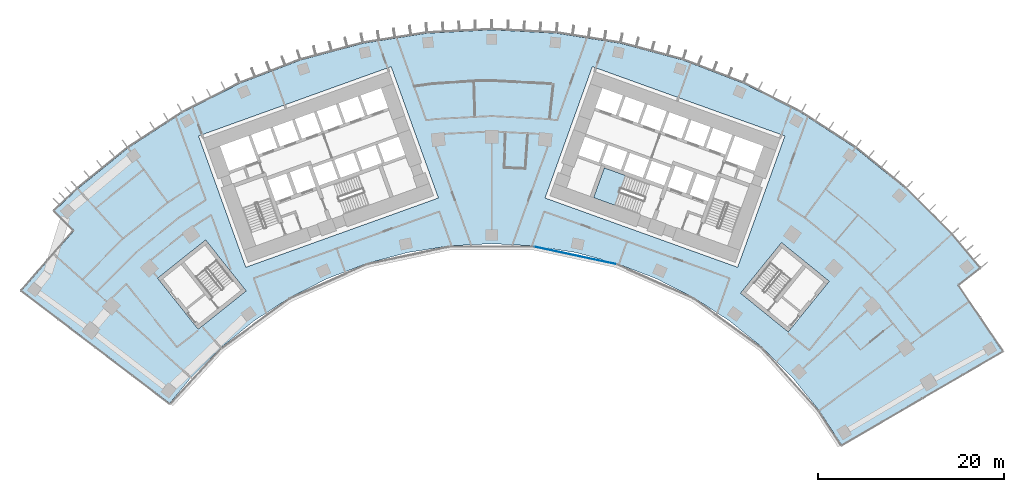
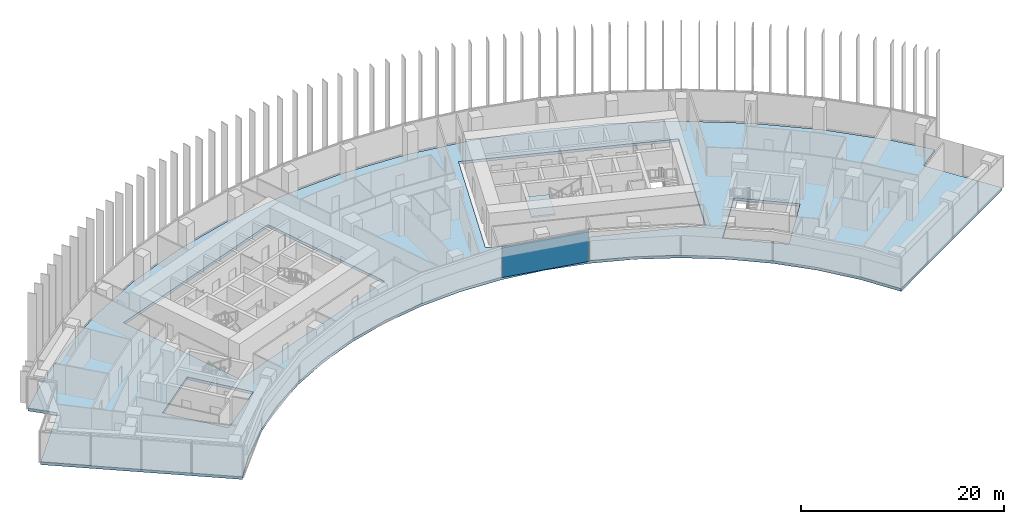
# One storey, part 14 of 23: 2 slabs, 1 plate, 2 elements without a shape of their own.
"""IFC4 building model written with IfcOpenShell, lengths in metres."""

from ifc_helpers import new_model, si_unit, direction, frame, origin, origin_2d, place, context, subcontext, project, spatial, polyline, rectangle, outline, extrude, material, layer, layer_set, type_object, element, aggregate, save


model = new_model("IFC4")

# Units and contexts
model_context = context("Model", 3, precision=1e-05, world=origin(), true_north=direction((0.0, 1.0)))
body_context = subcontext(model_context, "Body", "Model", "MODEL_VIEW")
ifc_project = project(units=[si_unit("LENGTHUNIT", "METRE"), si_unit("AREAUNIT", "SQUARE_METRE"), si_unit("VOLUMEUNIT", "CUBIC_METRE"), si_unit("PLANEANGLEUNIT", "RADIAN"), si_unit("MASSUNIT", "GRAM", prefix="KILO")], contexts=[model_context])

# Site, building, storey
site_placement = place(None, origin())
site = spatial("IfcSite", under=ifc_project, at=site_placement, CompositionType="ELEMENT")
building_placement = place(site_placement, origin())
building = spatial("IfcBuilding", under=site, at=building_placement, Name="Stone Belt Terrace Tower", CompositionType="ELEMENT")
storey_placement = place(building_placement, frame((0.0, 0.0, 98.39990234375)))
storey = spatial("IfcBuildingStorey", under=building, at=storey_placement, Name="L23", CompositionType="ELEMENT", Elevation=98.39990234375)

# Curtain wall, plate
ifc_material_1 = material(Name="Aluminium 6063-T6 anodised frame", Category="aluminium")
ifc_layer_1 = layer(ifc_material_1, 0.14990234375)
ifc_layer_set_1 = layer_set([ifc_layer_1], Name="CW-B unitised concave-face curtain wall")
curtain_wall_type = type_object("IfcCurtainWallType", Name="CW-B unitised concave-face curtain wall", PredefinedType="NOTDEFINED", material=ifc_layer_set_1)
curtain_wall_placement = place(storey_placement, origin())
curtain_wall = element("IfcCurtainWall", 1, at=curtain_wall_placement, inside=storey, type_object=curtain_wall_type, Name="CW-B concave face L23", PredefinedType="NOTDEFINED")
ifc_material_2 = material(Name="Clear double glazed unit")
ifc_layer_2 = layer(ifc_material_2, 0.030029296875)
ifc_layer_set_2 = layer_set([ifc_layer_2], Name="CW-B glass panel 30")
plate_type = type_object("IfcPlateType", Name="CW-B glass panel 30", PredefinedType="CURTAIN_PANEL", material=ifc_layer_set_2)
plate_placement = place(storey_placement, frame((8.97900390625, 42.242919921875, 0.0), z_axis=(0.0, 0.0, 1.0), x_axis=(0.978147600734, -0.207911690818, 0.0)))
plate = element("IfcPlate", 2, at=plate_placement, type_object=plate_type, Name="CW-B panel 6.1", PredefinedType="CURTAIN_PANEL", context=body_context, shape_type="SweptSolid", body=[
    extrude(rectangle(XDim=9.0126953125, YDim=0.030029296875, at=origin_2d()), origin(), (0.0, 0.0, 1.0), 3.679931640625),
])
aggregate(curtain_wall, [plate])

# Slab
ifc_material_3 = material(Name="Concrete B40", Category="concrete")
ifc_layer_3 = layer(ifc_material_3, 0.320068359375)
ifc_layer_set_3 = layer_set([ifc_layer_3], Name="Floor slab 320 B40")
slab_type_1 = type_object("IfcSlabType", Name="Floor slab 320 B40", PredefinedType="FLOOR", material=ifc_layer_set_3)
slab_1_placement = place(storey_placement, frame((0.0, 0.0, -0.31982421875)))
element("IfcSlab", 3, at=slab_1_placement, inside=storey, type_object=slab_type_1, Name="Floor slab L23", PredefinedType="FLOOR", context=body_context, shape_type="SweptSolid", body=[
    extrude(outline(polyline([(-44.497314453125, 49.419189453125), (-39.087646484375, 53.799560546875), (-33.25, 57.5908203125), (-27.048095703125, 60.750732421875), (-20.549560546875, 63.245361328125), (-13.826171875, 65.046875), (-6.951171875, 66.1357421875), (0.0, 66.5), (6.951171875, 66.1357421875), (13.826171875, 65.046875), (20.549560546875, 63.245361328125), (27.048095703125, 60.750732421875), (33.25, 57.5908203125), (39.087646484375, 53.799560546875), (44.497314453125, 49.419189453125), (49.419189453125, 44.497314453125), (52.4326171875, 40.9033203125), (50.067138671875, 39.05810546875), (54.879150390625, 31.945556640625), (37.594482421875, 21.884033203125), (35.192138671875, 25.568603515625), (32.326904296875, 29.107177734375), (29.107177734375, 32.326904296875), (25.568603515625, 35.192138671875), (21.75, 37.672119140625), (17.693115234375, 39.7392578125), (13.442138671875, 41.37109375), (9.044189453125, 42.54931640625), (4.547119140625, 43.26171875), (0.0, 43.5), (-4.547119140625, 43.26171875), (-9.044189453125, 42.54931640625), (-13.442138671875, 41.37109375), (-17.693115234375, 39.7392578125), (-21.75, 37.672119140625), (-25.568603515625, 35.192138671875), (-29.107177734375, 32.326904296875), (-32.326904296875, 29.107177734375), (-34.608642578125, 26.353271484375), (-50.520751953125, 38.469482421875), (-44.8681640625, 44.934326171875), (-46.988037109375, 47.05712890625), (-44.497314453125, 49.419189453125)]), holes=[polyline([(-26.434814453125, 40.968994140625), (-5.734619140625, 48.418701171875), (-10.81396484375, 62.532470703125), (-31.51416015625, 55.082763671875), (-26.434814453125, 40.968994140625)]), polyline([(10.81396484375, 62.532470703125), (5.734619140625, 48.418701171875), (26.434814453125, 40.968994140625), (31.51416015625, 55.082763671875), (10.81396484375, 62.532470703125)]), polyline([(-35.91796875, 39.787353515625), (-31.55615234375, 34.3125), (-26.39404296875, 38.425048828125), (-30.756103515625, 43.89990234375), (-35.91796875, 39.787353515625)]), polyline([(36.2783203125, 39.459228515625), (31.15380859375, 43.61865234375), (26.742431640625, 38.18359375), (31.86669921875, 34.024169921875), (36.2783203125, 39.459228515625)])]), origin(), (0.0, 0.0, 1.0), 0.31982421875),
])

# Stair, slab
stair_type = type_object("IfcStairType", Name="Exit stair 1500", PredefinedType="HALF_TURN_STAIR", material=ifc_material_3)
stair_placement = place(storey_placement, origin())
stair = element("IfcStair", 4, at=stair_placement, inside=storey, type_object=stair_type, Name="L23 Exit stair 2 core B", PredefinedType="HALF_TURN_STAIR")
ifc_layer_4 = layer(ifc_material_3, 0.199951171875)
ifc_layer_set_4 = layer_set([ifc_layer_4], Name="Stair landing 200")
slab_type_2 = type_object("IfcSlabType", Name="Stair landing 200", PredefinedType="LANDING", material=ifc_layer_set_4)
slab_2_placement = place(storey_placement, frame((0.0, 0.0, 1.7001953125)))
slab_2 = element("IfcSlab", 5, at=slab_2_placement, type_object=slab_type_2, Name="ST2B landing 1", PredefinedType="LANDING", context=body_context, shape_type="SweptSolid", body=[
    extrude(outline(polyline([(14.36474609375, 50.839111328125), (12.10595703125, 51.652099609375), (10.95458984375, 48.453125), (13.213623046875, 47.64013671875), (14.36474609375, 50.839111328125)])), origin(), (0.0, 0.0, 1.0), 0.199951171875),
])
aggregate(stair, [slab_2])

save(model, "model.ifc")
